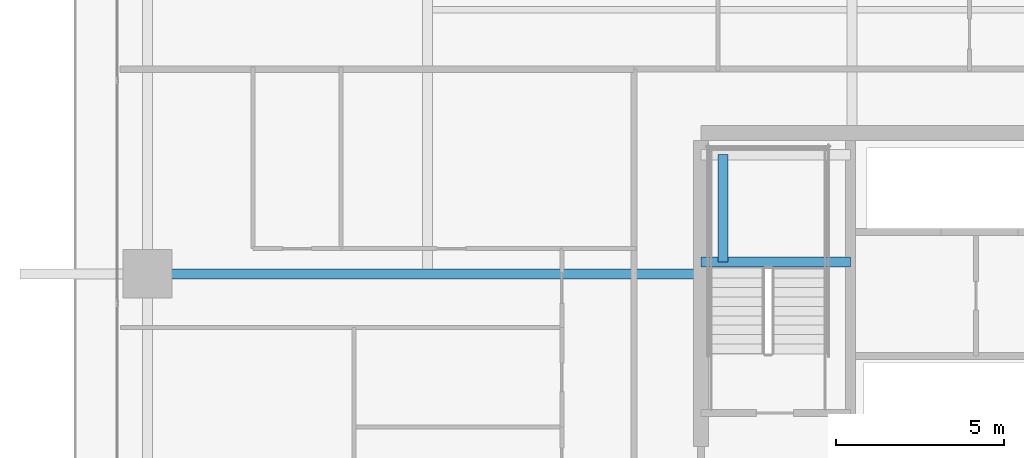
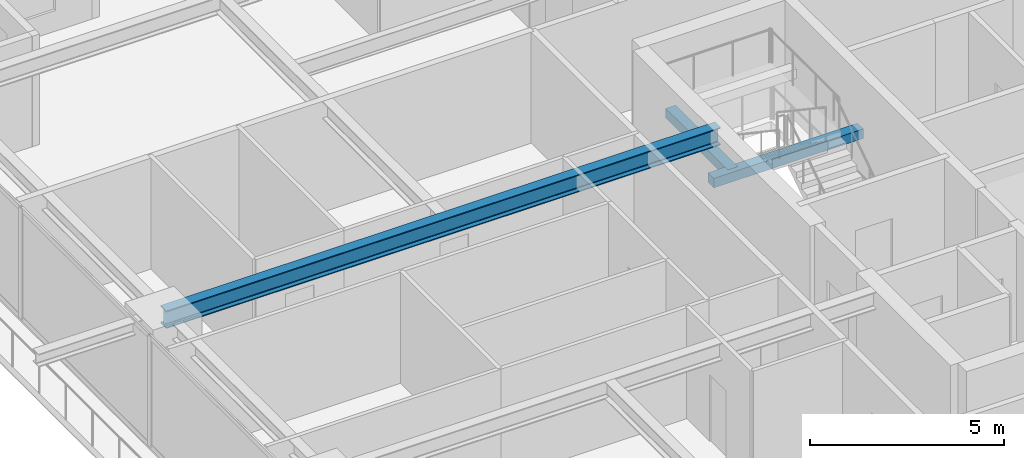
# One storey, part 9 of 38: 3 beams.
"""IFC4 building model written with IfcOpenShell, lengths in metres."""

from ifc_helpers import new_model, si_unit, direction, frame, origin, origin_2d, place, context, subcontext, project, spatial, rectangle, i_section, extrude, source, transform, mapped, material, material_profile, profile_set, type_object, element, save


model = new_model("IFC4")

# Units and contexts
model_context = context("Model", 3, precision=1e-05, world=origin(), true_north=direction((0.0, 1.0)))
body_context = subcontext(model_context, "Body", "Model", "MODEL_VIEW")
ifc_project = project(units=[si_unit("LENGTHUNIT", "METRE"), si_unit("AREAUNIT", "SQUARE_METRE"), si_unit("VOLUMEUNIT", "CUBIC_METRE"), si_unit("PLANEANGLEUNIT", "RADIAN"), si_unit("MASSUNIT", "GRAM", prefix="KILO")], contexts=[model_context])

# Site, building, storey
site_placement = place(None, origin())
site = spatial("IfcSite", under=ifc_project, at=site_placement, CompositionType="ELEMENT")
building_placement = place(site_placement, origin())
building = spatial("IfcBuilding", under=site, at=building_placement, Name="Serunith Strait Residences", CompositionType="ELEMENT")
storey_placement = place(building_placement, frame((0.0, 0.0, 52.949951171875)))
storey = spatial("IfcBuildingStorey", under=building, at=storey_placement, Name="L12", CompositionType="ELEMENT", Elevation=52.949951171875)

# Beams
ifc_material_1 = material(Name="Steel S355J2", Category="steel")
ifc_material_profile_1 = material_profile(ifc_material_1, i_section(OverallWidth=0.300048828125, OverallDepth=0.550048828125, WebThickness=0.014892578125, FlangeThickness=0.029052734375, FilletRadius=0.027099609375, at=origin_2d()), Name="HEB 550")
ifc_profile_set_1 = profile_set([ifc_material_profile_1], Name="Steel S355J2")
beam_type_1 = type_object("IfcBeamType", Name="BM-HEB550", PredefinedType="BEAM", material=ifc_profile_set_1)
shared_shape_1 = source(origin(), body_context, "Body", "SweptSolid", [
    extrude(i_section(OverallWidth=0.300048828125, OverallDepth=0.550048828125, WebThickness=0.014892578125, FlangeThickness=0.029052734375, FilletRadius=0.027099609375, at=origin_2d()), origin(), (0.0, 0.0, 1.0), 16.5),
])
beam_1_placement = place(storey_placement, frame((23.39990234375, 29.39990234375, 3.212158203125), z_axis=(-1.0, 0.0, 0.0), x_axis=(0.0, -1.0, 0.0)))
element("IfcBeam", 1, at=beam_1_placement, inside=storey, type_object=beam_type_1, Name="L12 Primary Floor Girder TC-W3", PredefinedType="BEAM", context=body_context, shape_type="MappedRepresentation", body=[
    mapped(shared_shape_1, transform((0.0, 0.0, 0.0), scale=1.0)),
])
ifc_material_2 = material(Name="Concrete C60/75", Category="concrete")
ifc_material_profile_2 = material_profile(ifc_material_2, rectangle(XDim=0.300048828125, YDim=0.300048828125, at=origin_2d()), Name="RC 300x300")
ifc_profile_set_2 = profile_set([ifc_material_profile_2], Name="Concrete C60/75")
beam_type_2 = type_object("IfcBeamType", Name="BM-LAND-300x300", PredefinedType="BEAM", material=ifc_profile_set_2)
shared_shape_2 = source(origin(), body_context, "Body", "SweptSolid", [
    extrude(rectangle(XDim=0.300048828125, YDim=0.300048828125, at=origin_2d()), origin(), (0.0, 0.0, 1.0), 4.4501953125),
])
beam_2_placement = place(storey_placement, frame((23.39990234375, 29.75, 1.525146484375), z_axis=(1.0, 0.0, 0.0), x_axis=(0.0, 1.0, 0.0)))
element("IfcBeam", 2, at=beam_2_placement, inside=storey, type_object=beam_type_2, Name="L12 ST-1 Landing Support Beam 1", PredefinedType="BEAM", context=body_context, shape_type="MappedRepresentation", body=[
    mapped(shared_shape_2, transform((0.0, 0.0, 0.0), scale=1.0)),
])
shared_shape_3 = source(origin(), body_context, "Body", "SweptSolid", [
    extrude(rectangle(XDim=0.300048828125, YDim=0.300048828125, at=origin_2d()), origin(), (0.0, 0.0, 1.0), 3.199951171875),
])
beam_3_placement = place(storey_placement, frame((24.050048828125, 29.75, 1.525146484375), z_axis=(0.0, 1.0, 0.0), x_axis=(-1.0, 0.0, 0.0)))
element("IfcBeam", 3, at=beam_3_placement, inside=storey, type_object=beam_type_2, Name="L12 ST-1 Landing Transverse Tie Beam", PredefinedType="BEAM", context=body_context, shape_type="MappedRepresentation", body=[
    mapped(shared_shape_3, transform((0.0, 0.0, 0.0), scale=1.0)),
])

save(model, "model.ifc")
